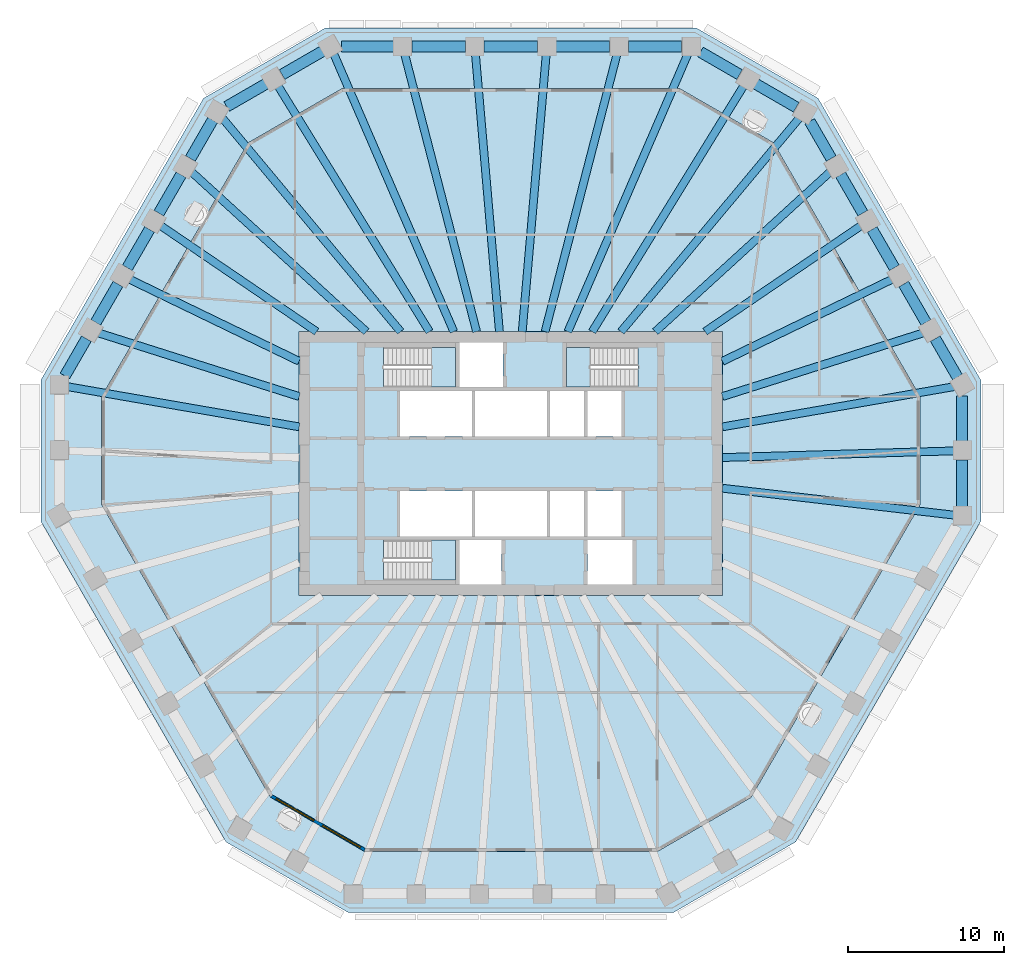
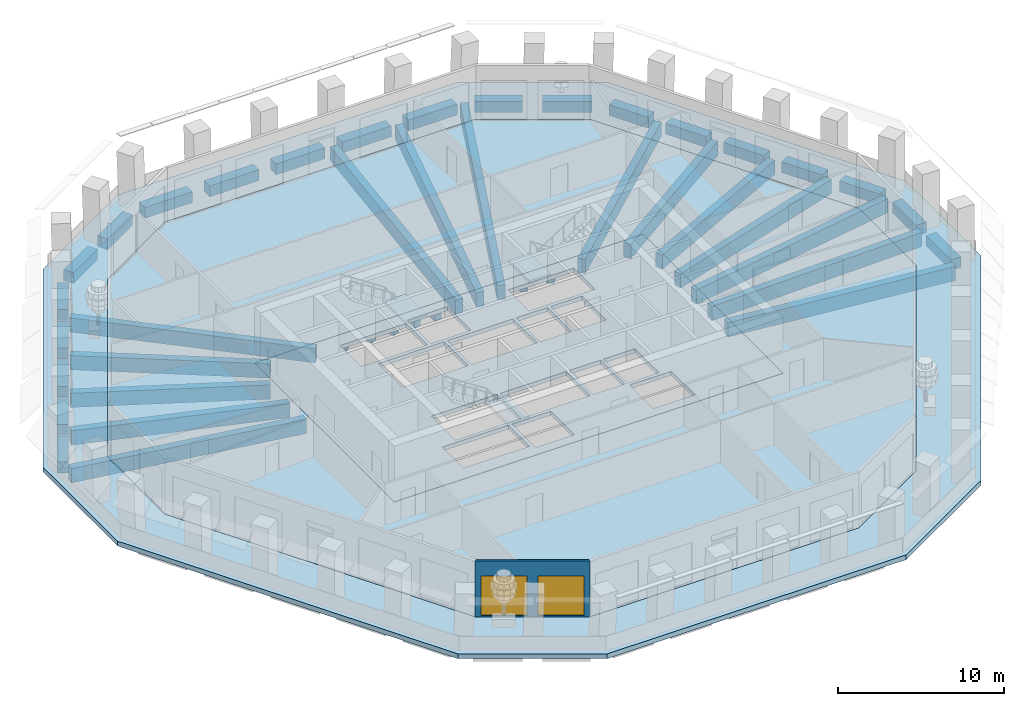
# One storey, part 2 of 12: 43 beams, 6 slabs, 2 windows, 1 wall, 2 openings, 3 elements without a shape of their own.
"""IFC4 building model written with IfcOpenShell, lengths in metres."""

from ifc_helpers import new_model, si_unit, direction, frame, frame_2d, origin, origin_2d, place, context, subcontext, project, spatial, polyline, rectangle, outline, extrude, material, layer, layer_set, material_profile, profile_set, type_object, element, fill, aggregate, save


model = new_model("IFC4")

# Units and contexts
model_context = context("Model", 3, precision=1e-05, world=origin(), true_north=direction((0.0, 1.0)))
body_context = subcontext(model_context, "Body", "Model", "MODEL_VIEW")
ifc_project = project(units=[si_unit("LENGTHUNIT", "METRE"), si_unit("AREAUNIT", "SQUARE_METRE"), si_unit("VOLUMEUNIT", "CUBIC_METRE"), si_unit("PLANEANGLEUNIT", "RADIAN"), si_unit("MASSUNIT", "GRAM", prefix="KILO")], contexts=[model_context])

# Site, building, storey
site_placement = place(None, origin())
site = spatial("IfcSite", under=ifc_project, at=site_placement, CompositionType="ELEMENT")
building_placement = place(site_placement, origin())
building = spatial("IfcBuilding", under=site, at=building_placement, Name="Frailejon Research Tower", CompositionType="ELEMENT")
storey_placement = place(building_placement, frame((0.0, 0.0, 171.60009765625)))
storey = spatial("IfcBuildingStorey", under=building, at=storey_placement, Name="L37", CompositionType="ELEMENT", Elevation=171.60009765625)

# Beams
ifc_material_1 = material(Name="Concrete C60/75", Category="concrete")
ifc_material_profile_1 = material_profile(ifc_material_1, rectangle(XDim=0.5, YDim=1.050048828125, at=origin_2d()), Name="Girder 500x1050")
ifc_profile_set_1 = profile_set([ifc_material_profile_1], Name="Concrete C60/75")
beam_type_1 = type_object("IfcBeamType", Name="Girder 500x1050", PredefinedType="BEAM", material=ifc_profile_set_1)
beam_1_placement = place(storey_placement, frame((28.44091796875, -3.305419921875, -0.8251953125), z_axis=(-0.993313375296, 0.115449289549, 0.0), x_axis=(-0.115449289549, -0.993313375296, 0.0)))
element("IfcBeam", 1, at=beam_1_placement, inside=storey, type_object=beam_type_1, Name="Girder 500x1050", PredefinedType="BEAM", context=body_context, shape_type="SweptSolid", body=[
    extrude(rectangle(XDim=0.5, YDim=1.050048828125, at=origin_2d()), origin(), (0.0, 0.0, 1.0), 14.9912109375),
])
beam_2_placement = place(storey_placement, frame((28.441650390625, 0.81689453125, -0.8251953125), z_axis=(-0.999587744108, -0.028711353657, 0.0), x_axis=(0.028711353657, -0.999587744108, 0.0)))
element("IfcBeam", 2, at=beam_2_placement, inside=storey, type_object=beam_type_1, Name="Girder 500x1050", PredefinedType="BEAM", context=body_context, shape_type="SweptSolid", body=[
    extrude(rectangle(XDim=0.5, YDim=1.050048828125, at=origin_2d()), origin(), (0.0, 0.0, 1.0), 14.897705078125),
])
beam_3_placement = place(storey_placement, frame((28.409912109375, 4.93359375, -0.8251953125), z_axis=(-0.985253782315, -0.171099340832, 0.0), x_axis=(0.171099340832, -0.985253782315, 0.0)))
element("IfcBeam", 3, at=beam_3_placement, inside=storey, type_object=beam_type_1, Name="Girder 500x1050", PredefinedType="BEAM", context=body_context, shape_type="SweptSolid", body=[
    extrude(rectangle(XDim=0.5, YDim=1.050048828125, at=origin_2d()), origin(), (0.0, 0.0, 1.0), 15.082275390625),
])
beam_4_placement = place(storey_placement, frame((26.428955078125, 8.3759765625, -0.8251953125), z_axis=(-0.953268344428, -0.302124913757, 0.0), x_axis=(0.302124913757, -0.953268344428, 0.0)))
element("IfcBeam", 4, at=beam_4_placement, inside=storey, type_object=beam_type_1, Name="Girder 500x1050", PredefinedType="BEAM", context=body_context, shape_type="SweptSolid", body=[
    extrude(rectangle(XDim=0.5, YDim=1.050048828125, at=origin_2d()), origin(), (0.0, 0.0, 1.0), 13.51025390625),
])
beam_5_placement = place(storey_placement, frame((24.44482421875, 11.818603515625, -0.8251953125), z_axis=(-0.900299543588, -0.435270871774, 0.0), x_axis=(0.435270871774, -0.900299543588, 0.0)))
element("IfcBeam", 5, at=beam_5_placement, inside=storey, type_object=beam_type_1, Name="Girder 500x1050", PredefinedType="BEAM", context=body_context, shape_type="SweptSolid", body=[
    extrude(rectangle(XDim=0.5, YDim=1.050048828125, at=origin_2d()), origin(), (0.0, 0.0, 1.0), 12.101318359375),
])
beam_6_placement = place(storey_placement, frame((22.457763671875, 15.260498046875, -0.8251953125), z_axis=(-0.827107833416, -0.562043265151, 0.0), x_axis=(0.562043265151, -0.827107833416, 0.0)))
element("IfcBeam", 6, at=beam_6_placement, inside=storey, type_object=beam_type_1, Name="Girder 500x1050", PredefinedType="BEAM", context=body_context, shape_type="SweptSolid", body=[
    extrude(rectangle(XDim=0.5, YDim=1.050048828125, at=origin_2d()), origin(), (0.0, 0.0, 1.0), 12.117431640625),
])
beam_7_placement = place(storey_placement, frame((20.46826171875, 18.7001953125, -0.8251953125), z_axis=(-0.738276776436, -0.67449788834, 0.0), x_axis=(0.67449788834, -0.738276776436, 0.0)))
element("IfcBeam", 7, at=beam_7_placement, inside=storey, type_object=beam_type_1, Name="Girder 500x1050", PredefinedType="BEAM", context=body_context, shape_type="SweptSolid", body=[
    extrude(rectangle(XDim=0.5, YDim=1.050048828125, at=origin_2d()), origin(), (0.0, 0.0, 1.0), 15.19677734375),
])
beam_8_placement = place(storey_placement, frame((18.496826171875, 22.159912109375, -0.8251953125), z_axis=(-0.640808117829, -0.767701085139, 0.0), x_axis=(0.767701085139, -0.640808117829, 0.0)))
element("IfcBeam", 8, at=beam_8_placement, inside=storey, type_object=beam_type_1, Name="Girder 500x1050", PredefinedType="BEAM", context=body_context, shape_type="SweptSolid", body=[
    extrude(rectangle(XDim=0.5, YDim=1.050048828125, at=origin_2d()), origin(), (0.0, 0.0, 1.0), 17.8583984375),
])
beam_9_placement = place(storey_placement, frame((14.92822265625, 24.222900390625, -0.8251953125), z_axis=(-0.524656063585, -0.851314286819, 0.0), x_axis=(0.851314286819, -0.524656063585, 0.0)))
element("IfcBeam", 9, at=beam_9_placement, inside=storey, type_object=beam_type_1, Name="Girder 500x1050", PredefinedType="BEAM", context=body_context, shape_type="SweptSolid", body=[
    extrude(rectangle(XDim=0.5, YDim=1.050048828125, at=origin_2d()), origin(), (0.0, 0.0, 1.0), 18.52783203125),
])
beam_10_placement = place(storey_placement, frame((11.338134765625, 26.23779296875, -0.8251953125), z_axis=(-0.396671311545, -0.917960712992, 0.0), x_axis=(0.917960712992, -0.396671311545, 0.0)))
element("IfcBeam", 10, at=beam_10_placement, inside=storey, type_object=beam_type_1, Name="Girder 500x1050", PredefinedType="BEAM", context=body_context, shape_type="SweptSolid", body=[
    extrude(rectangle(XDim=0.5, YDim=1.050048828125, at=origin_2d()), origin(), (0.0, 0.0, 1.0), 19.37744140625),
])
beam_11_placement = place(storey_placement, frame((6.8046875, 26.2451171875, -0.8251953125), z_axis=(-0.250972759181, -0.967994149853, 0.0), x_axis=(0.967994149853, -0.250972759181, 0.0)))
element("IfcBeam", 11, at=beam_11_placement, inside=storey, type_object=beam_type_1, Name="Girder 500x1050", PredefinedType="BEAM", context=body_context, shape_type="SweptSolid", body=[
    extrude(rectangle(XDim=0.5, YDim=1.050048828125, at=origin_2d()), origin(), (0.0, 0.0, 1.0), 18.383544921875),
])
for number, where, z_axis, x_axis, name in (
    (12, (2.268798828125, 26.24951171875, -0.8251953125), (-0.086117764369, -0.996284964586, 0.0), (0.996284964586, -0.086117764369, 0.0), "Girder 500x1050"),
    (13, (-2.268798828125, 26.24951171875, -0.8251953125), (0.086117764369, -0.996284964586, 0.0), (0.996284964586, 0.086117764369, 0.0), "Girder 500x1050"),
):
    element("IfcBeam", number, at=place(storey_placement, frame(where, z_axis=z_axis, x_axis=x_axis)), inside=storey, type_object=beam_type_1, Name=name, PredefinedType="BEAM", context=body_context, shape_type="SweptSolid", body=[
        extrude(rectangle(XDim=0.5, YDim=1.050048828125, at=origin_2d()), origin(), (0.0, 0.0, 1.0), 17.865966796875),
    ])
beam_12_placement = place(storey_placement, frame((-6.8046875, 26.2451171875, -0.8251953125), z_axis=(0.250972759181, -0.967994149853, 0.0), x_axis=(0.967994149853, 0.250972759181, 0.0)))
element("IfcBeam", 14, at=beam_12_placement, inside=storey, type_object=beam_type_1, Name="Girder 500x1050", PredefinedType="BEAM", context=body_context, shape_type="SweptSolid", body=[
    extrude(rectangle(XDim=0.5, YDim=1.050048828125, at=origin_2d()), origin(), (0.0, 0.0, 1.0), 18.383544921875),
])
beam_13_placement = place(storey_placement, frame((-11.35791015625, 26.283203125, -0.8251953125), z_axis=(0.396677932682, -0.917957851823, 0.0), x_axis=(0.917957851823, 0.396677932682, 0.0)))
element("IfcBeam", 15, at=beam_13_placement, inside=storey, type_object=beam_type_1, Name="Girder 500x1050", PredefinedType="BEAM", context=body_context, shape_type="SweptSolid", body=[
    extrude(rectangle(XDim=0.5, YDim=1.050048828125, at=origin_2d()), origin(), (0.0, 0.0, 1.0), 19.427001953125),
])
beam_14_placement = place(storey_placement, frame((-14.92822265625, 24.222900390625, -0.8251953125), z_axis=(0.524656063585, -0.851314286819, 0.0), x_axis=(0.851314286819, 0.524656063585, 0.0)))
element("IfcBeam", 16, at=beam_14_placement, inside=storey, type_object=beam_type_1, Name="Girder 500x1050", PredefinedType="BEAM", context=body_context, shape_type="SweptSolid", body=[
    extrude(rectangle(XDim=0.5, YDim=1.050048828125, at=origin_2d()), origin(), (0.0, 0.0, 1.0), 18.52783203125),
])
beam_15_placement = place(storey_placement, frame((-18.4775390625, 22.136962890625, -0.8251953125), z_axis=(0.640803782109, -0.76770470419, 0.0), x_axis=(0.76770470419, 0.640803782109, 0.0)))
element("IfcBeam", 17, at=beam_15_placement, inside=storey, type_object=beam_type_1, Name="Girder 500x1050", PredefinedType="BEAM", context=body_context, shape_type="SweptSolid", body=[
    extrude(rectangle(XDim=0.5, YDim=1.050048828125, at=origin_2d()), origin(), (0.0, 0.0, 1.0), 17.828369140625),
])
beam_16_placement = place(storey_placement, frame((-20.46826171875, 18.7001953125, -0.8251953125), z_axis=(0.738276776436, -0.67449788834, 0.0), x_axis=(0.67449788834, 0.738276776436, 0.0)))
element("IfcBeam", 18, at=beam_16_placement, inside=storey, type_object=beam_type_1, Name="Girder 500x1050", PredefinedType="BEAM", context=body_context, shape_type="SweptSolid", body=[
    extrude(rectangle(XDim=0.5, YDim=1.050048828125, at=origin_2d()), origin(), (0.0, 0.0, 1.0), 15.19677734375),
])
beam_17_placement = place(storey_placement, frame((-22.457763671875, 15.260498046875, -0.8251953125), z_axis=(0.827107833416, -0.562043265151, 0.0), x_axis=(0.562043265151, 0.827107833416, 0.0)))
element("IfcBeam", 19, at=beam_17_placement, inside=storey, type_object=beam_type_1, Name="Girder 500x1050", PredefinedType="BEAM", context=body_context, shape_type="SweptSolid", body=[
    extrude(rectangle(XDim=0.5, YDim=1.050048828125, at=origin_2d()), origin(), (0.0, 0.0, 1.0), 12.117431640625),
])
beam_18_placement = place(storey_placement, frame((-24.44482421875, 11.818603515625, -0.8251953125), z_axis=(0.900299543588, -0.435270871774, 0.0), x_axis=(0.435270871774, 0.900299543588, 0.0)))
element("IfcBeam", 20, at=beam_18_placement, inside=storey, type_object=beam_type_1, Name="Girder 500x1050", PredefinedType="BEAM", context=body_context, shape_type="SweptSolid", body=[
    extrude(rectangle(XDim=0.5, YDim=1.050048828125, at=origin_2d()), origin(), (0.0, 0.0, 1.0), 12.101318359375),
])
beam_19_placement = place(storey_placement, frame((-26.428955078125, 8.3759765625, -0.8251953125), z_axis=(0.953268344428, -0.302124913757, 0.0), x_axis=(0.302124913757, 0.953268344428, 0.0)))
element("IfcBeam", 21, at=beam_19_placement, inside=storey, type_object=beam_type_1, Name="Girder 500x1050", PredefinedType="BEAM", context=body_context, shape_type="SweptSolid", body=[
    extrude(rectangle(XDim=0.5, YDim=1.050048828125, at=origin_2d()), origin(), (0.0, 0.0, 1.0), 13.51025390625),
])
beam_20_placement = place(storey_placement, frame((-28.439697265625, 4.938720703125, -0.8251953125), z_axis=(0.985254290324, -0.171096415505, 0.0), x_axis=(0.171096415505, 0.985254290324, 0.0)))
element("IfcBeam", 22, at=beam_20_placement, inside=storey, type_object=beam_type_1, Name="Girder 500x1050", PredefinedType="BEAM", context=body_context, shape_type="SweptSolid", body=[
    extrude(rectangle(XDim=0.5, YDim=1.050048828125, at=origin_2d()), origin(), (0.0, 0.0, 1.0), 15.112548828125),
])
ifc_material_2 = material(Name="Concrete C60/75", Category="concrete")
ifc_material_profile_2 = material_profile(ifc_material_2, rectangle(XDim=0.699951171875, YDim=0.800048828125, at=origin_2d()), Name="Spandrel 700x800")
ifc_profile_set_2 = profile_set([ifc_material_profile_2], Name="Concrete C60/75")
beam_type_2 = type_object("IfcBeamType", Name="Spandrel 700x800", PredefinedType="BEAM", material=ifc_profile_set_2)
beam_21_placement = place(storey_placement, frame((28.891845703125, -2.7578125, -0.75), z_axis=(0.0, 1.0, 0.0), x_axis=(-1.0, 0.0, 0.0)))
element("IfcBeam", 23, at=beam_21_placement, inside=storey, type_object=beam_type_2, Name="Spandrel 700x800", PredefinedType="BEAM", context=body_context, shape_type="SweptSolid", body=[
    extrude(rectangle(XDim=0.699951171875, YDim=0.800048828125, at=origin_2d()), origin(), (0.0, 0.0, 1.0), 2.987548828125),
])
beam_22_placement = place(storey_placement, frame((28.891845703125, 1.4296875, -0.75), z_axis=(0.0, 1.0, 0.0), x_axis=(-1.0, 0.0, 0.0)))
element("IfcBeam", 24, at=beam_22_placement, inside=storey, type_object=beam_type_2, Name="Spandrel 700x800", PredefinedType="BEAM", context=body_context, shape_type="SweptSolid", body=[
    extrude(rectangle(XDim=0.699951171875, YDim=0.800048828125, at=origin_2d()), origin(), (0.0, 0.0, 1.0), 2.894775390625),
])
beam_23_placement = place(storey_placement, frame((28.591796875, 5.536865234375, -0.75), z_axis=(-0.500012638089, 0.866018107057, 0.0), x_axis=(-0.866018107057, -0.500012638089, 0.0)))
element("IfcBeam", 25, at=beam_23_placement, inside=storey, type_object=beam_type_2, Name="Spandrel 700x800", PredefinedType="BEAM", context=body_context, shape_type="SweptSolid", body=[
    extrude(rectangle(XDim=0.699951171875, YDim=0.800048828125, at=origin_2d()), origin(), (0.0, 0.0, 1.0), 2.84033203125),
])
beam_24_placement = place(storey_placement, frame((26.571533203125, 9.035888671875, -0.75), z_axis=(-0.49994816717, 0.866055327414, 0.0), x_axis=(-0.866055327414, -0.49994816717, 0.0)))
element("IfcBeam", 26, at=beam_24_placement, inside=storey, type_object=beam_type_2, Name="Spandrel 700x800", PredefinedType="BEAM", context=body_context, shape_type="SweptSolid", body=[
    extrude(rectangle(XDim=0.699951171875, YDim=0.800048828125, at=origin_2d()), origin(), (0.0, 0.0, 1.0), 2.840087890625),
])
beam_25_placement = place(storey_placement, frame((24.551513671875, 12.534912109375, -0.75), z_axis=(-0.500012638089, 0.866018107057, 0.0), x_axis=(-0.866018107057, -0.500012638089, 0.0)))
element("IfcBeam", 27, at=beam_25_placement, inside=storey, type_object=beam_type_2, Name="Spandrel 700x800", PredefinedType="BEAM", context=body_context, shape_type="SweptSolid", body=[
    extrude(rectangle(XDim=0.699951171875, YDim=0.800048828125, at=origin_2d()), origin(), (0.0, 0.0, 1.0), 2.84033203125),
])
beam_26_placement = place(storey_placement, frame((22.53125, 16.033935546875, -0.75), z_axis=(-0.499975419241, 0.866039595027, 0.0), x_axis=(-0.866039595027, -0.499975419241, 0.0)))
element("IfcBeam", 28, at=beam_26_placement, inside=storey, type_object=beam_type_2, Name="Spandrel 700x800", PredefinedType="BEAM", context=body_context, shape_type="SweptSolid", body=[
    extrude(rectangle(XDim=0.699951171875, YDim=0.800048828125, at=origin_2d()), origin(), (0.0, 0.0, 1.0), 2.840576171875),
])
beam_27_placement = place(storey_placement, frame((20.510986328125, 19.532958984375, -0.75), z_axis=(-0.500009615167, 0.866019852394, 0.0), x_axis=(-0.866019852394, -0.500009615167, 0.0)))
element("IfcBeam", 29, at=beam_27_placement, inside=storey, type_object=beam_type_2, Name="Spandrel 700x800", PredefinedType="BEAM", context=body_context, shape_type="SweptSolid", body=[
    extrude(rectangle(XDim=0.699951171875, YDim=0.800048828125, at=origin_2d()), origin(), (0.0, 0.0, 1.0), 2.74755859375),
])
beam_28_placement = place(storey_placement, frame((18.271240234375, 22.8125, -0.75), z_axis=(-0.86603180189, 0.499988917992, 0.0), x_axis=(-0.499988917992, -0.86603180189, 0.0)))
element("IfcBeam", 30, at=beam_28_placement, inside=storey, type_object=beam_type_2, Name="Spandrel 700x800", PredefinedType="BEAM", context=body_context, shape_type="SweptSolid", body=[
    extrude(rectangle(XDim=0.699951171875, YDim=0.800048828125, at=origin_2d()), origin(), (0.0, 0.0, 1.0), 2.9873046875),
])
beam_29_placement = place(storey_placement, frame((14.644775390625, 24.90625, -0.75), z_axis=(-0.866033897268, 0.499985288567, 0.0), x_axis=(-0.499985288567, -0.866033897268, 0.0)))
element("IfcBeam", 31, at=beam_29_placement, inside=storey, type_object=beam_type_2, Name="Spandrel 700x800", PredefinedType="BEAM", context=body_context, shape_type="SweptSolid", body=[
    extrude(rectangle(XDim=0.699951171875, YDim=0.800048828125, at=origin_2d()), origin(), (0.0, 0.0, 1.0), 2.89453125),
])
beam_30_placement = place(storey_placement, frame((10.93798828125, 26.699951171875, -0.75), z_axis=(-1.0, 0.0, 0.0), x_axis=(0.0, -1.0, 0.0)))
element("IfcBeam", 32, at=beam_30_placement, inside=storey, type_object=beam_type_2, Name="Spandrel 700x800", PredefinedType="BEAM", context=body_context, shape_type="SweptSolid", body=[
    extrude(rectangle(XDim=0.699951171875, YDim=0.800048828125, at=origin_2d()), origin(), (0.0, 0.0, 1.0), 3.415283203125),
])
for number, where, z_axis, x_axis, name in (
    (33, (6.32275390625, 26.699951171875, -0.75), (-1.0, 0.0, 0.0), (0.0, -1.0, 0.0), "Spandrel 700x800"),
    (34, (1.70751953125, 26.699951171875, -0.75), (-1.0, 0.0, 0.0), (0.0, -1.0, 0.0), "Spandrel 700x800"),
    (35, (-2.90771484375, 26.699951171875, -0.75), (-1.0, 0.0, 0.0), (0.0, -1.0, 0.0), "Spandrel 700x800"),
):
    element("IfcBeam", number, at=place(storey_placement, frame(where, z_axis=z_axis, x_axis=x_axis)), inside=storey, type_object=beam_type_2, Name=name, PredefinedType="BEAM", context=body_context, shape_type="SweptSolid", body=[
        extrude(rectangle(XDim=0.699951171875, YDim=0.800048828125, at=origin_2d()), origin(), (0.0, 0.0, 1.0), 3.4150390625),
    ])
beam_31_placement = place(storey_placement, frame((-7.522705078125, 26.699951171875, -0.75), z_axis=(-1.0, 0.0, 0.0), x_axis=(0.0, -1.0, 0.0)))
element("IfcBeam", 36, at=beam_31_placement, inside=storey, type_object=beam_type_2, Name="Spandrel 700x800", PredefinedType="BEAM", context=body_context, shape_type="SweptSolid", body=[
    extrude(rectangle(XDim=0.699951171875, YDim=0.800048828125, at=origin_2d()), origin(), (0.0, 0.0, 1.0), 3.322509765625),
])
beam_32_placement = place(storey_placement, frame((-12.0576171875, 26.39990234375, -0.75), z_axis=(-0.86603180189, -0.499988917992, 0.0), x_axis=(0.499988917992, -0.86603180189, 0.0)))
element("IfcBeam", 37, at=beam_32_placement, inside=storey, type_object=beam_type_2, Name="Spandrel 700x800", PredefinedType="BEAM", context=body_context, shape_type="SweptSolid", body=[
    extrude(rectangle(XDim=0.699951171875, YDim=0.800048828125, at=origin_2d()), origin(), (0.0, 0.0, 1.0), 2.9873046875),
])
beam_33_placement = place(storey_placement, frame((-15.68408203125, 24.30615234375, -0.75), z_axis=(-0.866033897268, -0.499985288567, 0.0), x_axis=(0.499985288567, -0.866033897268, 0.0)))
element("IfcBeam", 38, at=beam_33_placement, inside=storey, type_object=beam_type_2, Name="Spandrel 700x800", PredefinedType="BEAM", context=body_context, shape_type="SweptSolid", body=[
    extrude(rectangle(XDim=0.699951171875, YDim=0.800048828125, at=origin_2d()), origin(), (0.0, 0.0, 1.0), 2.89453125),
])
for number, where, z_axis, x_axis, name in (
    (39, (-19.0908203125, 21.992919921875, -0.75), (-0.499975419241, -0.866039595027, 0.0), (0.866039595027, -0.499975419241, 0.0), "Spandrel 700x800"),
    (40, (-21.111083984375, 18.493896484375, -0.75), (-0.499975419241, -0.866039595027, 0.0), (0.866039595027, -0.499975419241, 0.0), "Spandrel 700x800"),
):
    element("IfcBeam", number, at=place(storey_placement, frame(where, z_axis=z_axis, x_axis=x_axis)), inside=storey, type_object=beam_type_2, Name=name, PredefinedType="BEAM", context=body_context, shape_type="SweptSolid", body=[
        extrude(rectangle(XDim=0.699951171875, YDim=0.800048828125, at=origin_2d()), origin(), (0.0, 0.0, 1.0), 2.840576171875),
    ])
beam_34_placement = place(storey_placement, frame((-23.13134765625, 14.99462890625, -0.75), z_axis=(-0.500012638089, -0.866018107057, 0.0), x_axis=(0.866018107057, -0.500012638089, 0.0)))
element("IfcBeam", 41, at=beam_34_placement, inside=storey, type_object=beam_type_2, Name="Spandrel 700x800", PredefinedType="BEAM", context=body_context, shape_type="SweptSolid", body=[
    extrude(rectangle(XDim=0.699951171875, YDim=0.800048828125, at=origin_2d()), origin(), (0.0, 0.0, 1.0), 2.84033203125),
])
beam_35_placement = place(storey_placement, frame((-25.151611328125, 11.49560546875, -0.75), z_axis=(-0.49994816717, -0.866055327414, 0.0), x_axis=(0.866055327414, -0.49994816717, 0.0)))
element("IfcBeam", 42, at=beam_35_placement, inside=storey, type_object=beam_type_2, Name="Spandrel 700x800", PredefinedType="BEAM", context=body_context, shape_type="SweptSolid", body=[
    extrude(rectangle(XDim=0.699951171875, YDim=0.800048828125, at=origin_2d()), origin(), (0.0, 0.0, 1.0), 2.840087890625),
])
beam_36_placement = place(storey_placement, frame((-27.171630859375, 7.99658203125, -0.75), z_axis=(-0.500009615167, -0.866019852394, 0.0), x_axis=(0.866019852394, -0.500009615167, 0.0)))
element("IfcBeam", 43, at=beam_36_placement, inside=storey, type_object=beam_type_2, Name="Spandrel 700x800", PredefinedType="BEAM", context=body_context, shape_type="SweptSolid", body=[
    extrude(rectangle(XDim=0.699951171875, YDim=0.800048828125, at=origin_2d()), origin(), (0.0, 0.0, 1.0), 2.74755859375),
])

# Slabs
ifc_material_3 = material(Name="Concrete C60/75", Category="concrete")
ifc_layer_1 = layer(ifc_material_3, 0.300048828125)
ifc_layer_set_1 = layer_set([ifc_layer_1], Name="Core floor slab 300 C60/75")
slab_type_1 = type_object("IfcSlabType", Name="Core floor slab 300 C60/75", PredefinedType="FLOOR", material=ifc_layer_set_1)
slab_1_placement = place(storey_placement, frame((0.0, 0.0, -0.300048828125)))
element("IfcSlab", 44, at=slab_1_placement, inside=storey, type_object=slab_type_1, Name="Core floor slab", PredefinedType="FLOOR", context=body_context, shape_type="SweptSolid", body=[
    extrude(outline(polyline([(13.550048828125, -8.449951171875), (13.550048828125, 8.449951171875), (-13.550048828125, 8.449951171875), (-13.550048828125, -8.449951171875), (13.550048828125, -8.449951171875)]), holes=[polyline([(-2.5, 1.75), (-2.5, 4.64990234375), (-7.10009765625, 4.64990234375), (-7.10009765625, 1.75), (-2.5, 1.75)]), polyline([(2.300048828125, 1.75), (2.300048828125, 4.64990234375), (-2.300048828125, 4.64990234375), (-2.300048828125, 1.75), (2.300048828125, 1.75)]), polyline([(4.699951171875, 1.75), (4.699951171875, 4.64990234375), (2.5, 4.64990234375), (2.5, 1.75), (4.699951171875, 1.75)]), polyline([(7.10009765625, 1.75), (7.10009765625, 4.64990234375), (4.89990234375, 4.64990234375), (4.89990234375, 1.75), (7.10009765625, 1.75)]), polyline([(-2.5, -4.64990234375), (-2.5, -1.75), (-7.10009765625, -1.75), (-7.10009765625, -4.64990234375), (-2.5, -4.64990234375)]), polyline([(2.300048828125, -4.64990234375), (2.300048828125, -1.75), (-2.300048828125, -1.75), (-2.300048828125, -4.64990234375), (2.300048828125, -4.64990234375)]), polyline([(4.699951171875, -4.64990234375), (4.699951171875, -1.75), (2.5, -1.75), (2.5, -4.64990234375), (4.699951171875, -4.64990234375)]), polyline([(7.10009765625, -4.64990234375), (7.10009765625, -1.75), (4.89990234375, -1.75), (4.89990234375, -4.64990234375), (7.10009765625, -4.64990234375)]), polyline([(-8.14697265625, 4.89990234375), (-3.550048828125, 4.89990234375), (-3.550048828125, 7.449951171875), (-8.14697265625, 7.449951171875), (-8.14697265625, 4.89990234375)]), polyline([(-8.14697265625, -7.449951171875), (-3.550048828125, -7.449951171875), (-3.550048828125, -4.89990234375), (-8.14697265625, -4.89990234375), (-8.14697265625, -7.449951171875)]), polyline([(8.14697265625, 7.449951171875), (3.550048828125, 7.449951171875), (3.550048828125, 4.89990234375), (8.14697265625, 4.89990234375), (8.14697265625, 7.449951171875)]), polyline([(-0.60009765625, -7.75), (-0.60009765625, -4.89990234375), (-3.300048828125, -4.89990234375), (-3.300048828125, -7.75), (-0.60009765625, -7.75)]), polyline([(7.800048828125, -7.75), (7.800048828125, -4.89990234375), (4.89990234375, -4.89990234375), (4.89990234375, -7.75), (7.800048828125, -7.75)]), polyline([(-0.5, 4.89990234375), (-0.5, 7.75), (-3.300048828125, 7.75), (-3.300048828125, 4.89990234375), (-0.5, 4.89990234375)])]), origin(), (0.0, 0.0, 1.0), 0.300048828125),
])
ifc_material_4 = material(Name="Concrete C40/50", Category="concrete")
ifc_layer_2 = layer(ifc_material_4, 0.35009765625)
ifc_layer_set_2 = layer_set([ifc_layer_2], Name="Loggia slab 350")
slab_type_2 = type_object("IfcSlabType", Name="Loggia slab 350", PredefinedType="USERDEFINED", material=ifc_layer_set_2)
slab_2_placement = place(storey_placement, frame((0.0, 0.0, -0.35009765625)))
element("IfcSlab", 45, at=slab_2_placement, inside=storey, type_object=slab_type_2, Name="Loggia slab L37", ObjectType="LOGGIA", PredefinedType="USERDEFINED", context=body_context, shape_type="SweptSolid", body=[
    extrude(outline(polyline([(18.232421875, -24.220458984375), (10.42236328125, -28.729736328125), (-10.42236328125, -28.729736328125), (-18.232421875, -24.220458984375), (-30.091796875, -3.679443359375), (-30.091796875, 5.3388671875), (-19.66943359375, 23.390869140625), (-11.859375, 27.89990234375), (11.859375, 27.89990234375), (19.66943359375, 23.390869140625), (30.091796875, 5.3388671875), (30.091796875, -3.679443359375), (18.232421875, -24.220458984375)]), holes=[polyline([(26.19189453125, 4.293701171875), (16.814453125, 20.535888671875), (10.814453125, 24.0), (-10.814453125, 24.0), (-16.814453125, 20.535888671875), (-26.19189453125, 4.293701171875), (-26.19189453125, -2.634521484375), (-15.37744140625, -21.365478515625), (-9.37744140625, -24.82958984375), (9.37744140625, -24.82958984375), (15.37744140625, -21.365478515625), (26.19189453125, -2.634521484375), (26.19189453125, 4.293701171875)])]), origin(), (0.0, 0.0, 1.0), 0.35009765625),
])
ifc_material_5 = material(Name="Concrete C40/50", Category="concrete")
ifc_layer_3 = layer(ifc_material_5, 0.300048828125)
ifc_layer_set_3 = layer_set([ifc_layer_3], Name="Slab typical 300")
slab_type_3 = type_object("IfcSlabType", Name="Slab typical 300", PredefinedType="FLOOR", material=ifc_layer_set_3)
slab_3_placement = place(storey_placement, frame((0.0, 0.0, -0.300048828125)))
element("IfcSlab", 46, at=slab_3_placement, inside=storey, type_object=slab_type_3, Name="Floor slab L37", PredefinedType="FLOOR", context=body_context, shape_type="SweptSolid", body=[
    extrude(outline(polyline([(26.19189453125, -2.634521484375), (26.19189453125, 4.293701171875), (16.814453125, 20.535888671875), (10.814453125, 24.0), (-10.814453125, 24.0), (-16.814453125, 20.535888671875), (-26.19189453125, 4.293701171875), (-26.19189453125, -2.634521484375), (-15.37744140625, -21.365478515625), (-9.37744140625, -24.82958984375), (9.37744140625, -24.82958984375), (15.37744140625, -21.365478515625), (26.19189453125, -2.634521484375)]), holes=[polyline([(13.550048828125, -8.449951171875), (-13.550048828125, -8.449951171875), (-13.550048828125, 8.449951171875), (13.550048828125, 8.449951171875), (13.550048828125, -8.449951171875)])]), origin(), (0.0, 0.0, 1.0), 0.300048828125),
])

# Stair, slab
ifc_material_6 = material(Name="Concrete C50/60", Category="concrete")
stair_type = type_object("IfcStairType", Name="Exit stair 24 risers", PredefinedType="HALF_TURN_STAIR", material=ifc_material_6)
stair_1_placement = place(storey_placement, origin())
stair_1 = element("IfcStair", 47, at=stair_1_placement, inside=storey, type_object=stair_type, Name="L37 Exit stair ST1", PredefinedType="HALF_TURN_STAIR")
ifc_material_7 = material(Name="Concrete C50/60", Category="concrete")
ifc_layer_4 = layer(ifc_material_7, 0.199951171875)
ifc_layer_set_4 = layer_set([ifc_layer_4], Name="Stair landing slab 200")
slab_type_4 = type_object("IfcSlabType", Name="Stair landing slab 200", PredefinedType="LANDING", material=ifc_layer_set_4)
slab_4_placement = place(storey_placement, frame((0.0, 0.0, 2.0)))
slab_4 = element("IfcSlab", 48, at=slab_4_placement, type_object=slab_type_4, Name="ST1 landing 1", PredefinedType="LANDING", context=body_context, shape_type="SweptSolid", body=[
    extrude(outline(polyline([(-5.070068359375, 4.89990234375), (-3.550048828125, 4.89990234375), (-3.550048828125, 7.449951171875), (-5.070068359375, 7.449951171875), (-5.070068359375, 4.89990234375)])), origin(), (0.0, 0.0, 1.0), 0.199951171875),
])
aggregate(stair_1, [slab_4])

stair_2_placement = place(storey_placement, origin())
stair_2 = element("IfcStair", 49, at=stair_2_placement, inside=storey, type_object=stair_type, Name="L37 Exit stair ST2", PredefinedType="HALF_TURN_STAIR")
slab_5_placement = place(storey_placement, frame((0.0, 0.0, 2.0)))
slab_5 = element("IfcSlab", 50, at=slab_5_placement, type_object=slab_type_4, Name="ST2 landing 1", PredefinedType="LANDING", context=body_context, shape_type="SweptSolid", body=[
    extrude(outline(polyline([(-5.070068359375, -7.449951171875), (-3.550048828125, -7.449951171875), (-3.550048828125, -4.89990234375), (-5.070068359375, -4.89990234375), (-5.070068359375, -7.449951171875)])), origin(), (0.0, 0.0, 1.0), 0.199951171875),
])
aggregate(stair_2, [slab_5])

stair_3_placement = place(storey_placement, origin())
stair_3 = element("IfcStair", 51, at=stair_3_placement, inside=storey, type_object=stair_type, Name="L37 Exit stair ST3", PredefinedType="HALF_TURN_STAIR")
slab_6_placement = place(storey_placement, frame((0.0, 0.0, 2.0)))
slab_6 = element("IfcSlab", 52, at=slab_6_placement, type_object=slab_type_4, Name="ST3 landing 1", PredefinedType="LANDING", context=body_context, shape_type="SweptSolid", body=[
    extrude(outline(polyline([(5.070068359375, 7.449951171875), (3.550048828125, 7.449951171875), (3.550048828125, 4.89990234375), (5.070068359375, 4.89990234375), (5.070068359375, 7.449951171875)])), origin(), (0.0, 0.0, 1.0), 0.199951171875),
])
aggregate(stair_3, [slab_6])

# Wall, openings, windows
ifc_material_8 = material(Name="Concrete C40/50 precast window wall panel", Category="concrete")
ifc_layer_5 = layer(ifc_material_8, 0.199951171875)
ifc_layer_set_5 = layer_set([ifc_layer_5], Name="Window wall 200")
wall_type = type_object("IfcWallType", Name="Window wall 200", PredefinedType="SOLIDWALL", material=ifc_layer_set_5)
wall_placement = place(storey_placement, frame((-15.30419921875, -21.292236328125, 0.0), z_axis=(0.0, 0.0, 1.0), x_axis=(0.866014080581, -0.50001961185, 0.0)))
wall = element("IfcWall", 53, at=wall_placement, inside=storey, type_object=wall_type, Name="Exterior wall L37", PredefinedType="SOLIDWALL", context=body_context, shape_type="SweptSolid", body=[
    extrude(outline(polyline([(-0.02685546875, -0.10009765625), (1.1279296875, -0.10009765625), (2.28271484375, -0.10009765625), (3.4375, -0.10009765625), (4.592041015625, -0.10009765625), (5.746826171875, -0.10009765625), (6.901611328125, -0.10009765625), (6.847900390625, 0.10009765625), (5.7109375, 0.10009765625), (4.57421875, 0.10009765625), (3.4375, 0.10009765625), (2.300537109375, 0.10009765625), (1.16357421875, 0.10009765625), (0.02685546875, 0.10009765625), (-0.02685546875, -0.10009765625)])), origin(), (0.0, 0.0, 1.0), 4.099853515625),
])
opening_1_placement = place(wall_placement, frame((0.318603515625, 0.0, 0.10009765625)))
opening_1 = element("IfcOpeningElement", 54, at=opening_1_placement, cuts=wall, Name="Opening W3", PredefinedType="OPENING", context=body_context, shape_type="SweptSolid", body=[
    extrude(rectangle(XDim=2.800048828125, YDim=2.89990234375, at=frame_2d((1.39990234375, 1.449951171875))), frame((0.0, 0.10986328125, 0.0), z_axis=(0.0, -1.0, 0.0), x_axis=(1.0, 0.0, 0.0)), (0.0, 0.0, 1.0), 0.219970703125),
])
opening_2_placement = place(wall_placement, frame((3.756103515625, 0.0, 0.10009765625)))
opening_2 = element("IfcOpeningElement", 55, at=opening_2_placement, cuts=wall, Name="Opening W3", PredefinedType="OPENING", context=body_context, shape_type="SweptSolid", body=[
    extrude(rectangle(XDim=2.800048828125, YDim=2.89990234375, at=frame_2d((1.39990234375, 1.449951171875))), frame((0.0, 0.10986328125, 0.0), z_axis=(0.0, -1.0, 0.0), x_axis=(1.0, 0.0, 0.0)), (0.0, 0.0, 1.0), 0.219970703125),
])
ifc_material_9 = material(Name="Aluminium framed double glazing", Category="aluminium")
window_type = type_object("IfcWindowType", Name="Window 2800x2900", PartitioningType="SINGLE_PANEL", PredefinedType="WINDOW", material=ifc_material_9)
window_1_placement = place(opening_1_placement, origin())
window_1 = element("IfcWindow", 56, at=window_1_placement, inside=storey, type_object=window_type, Name="Window L37", OverallHeight=2.89990234375, OverallWidth=2.800048828125, PartitioningType="SINGLE_PANEL", PredefinedType="WINDOW", context=body_context, shape_type="SweptSolid", body=[
    extrude(rectangle(XDim=2.800048828125, YDim=2.89990234375, at=frame_2d((1.39990234375, 1.449951171875))), frame((0.0, 0.030029296875, 0.0), z_axis=(0.0, -1.0, 0.0), x_axis=(1.0, 0.0, 0.0)), (0.0, 0.0, 1.0), 0.06005859375),
])
fill(opening_1, window_1)
window_2_placement = place(opening_2_placement, origin())
window_2 = element("IfcWindow", 57, at=window_2_placement, inside=storey, type_object=window_type, Name="Window L37", OverallHeight=2.89990234375, OverallWidth=2.800048828125, PartitioningType="SINGLE_PANEL", PredefinedType="WINDOW", context=body_context, shape_type="SweptSolid", body=[
    extrude(rectangle(XDim=2.800048828125, YDim=2.89990234375, at=frame_2d((1.39990234375, 1.449951171875))), frame((0.0, 0.030029296875, 0.0), z_axis=(0.0, -1.0, 0.0), x_axis=(1.0, 0.0, 0.0)), (0.0, 0.0, 1.0), 0.06005859375),
])
fill(opening_2, window_2)

save(model, "model.ifc")
